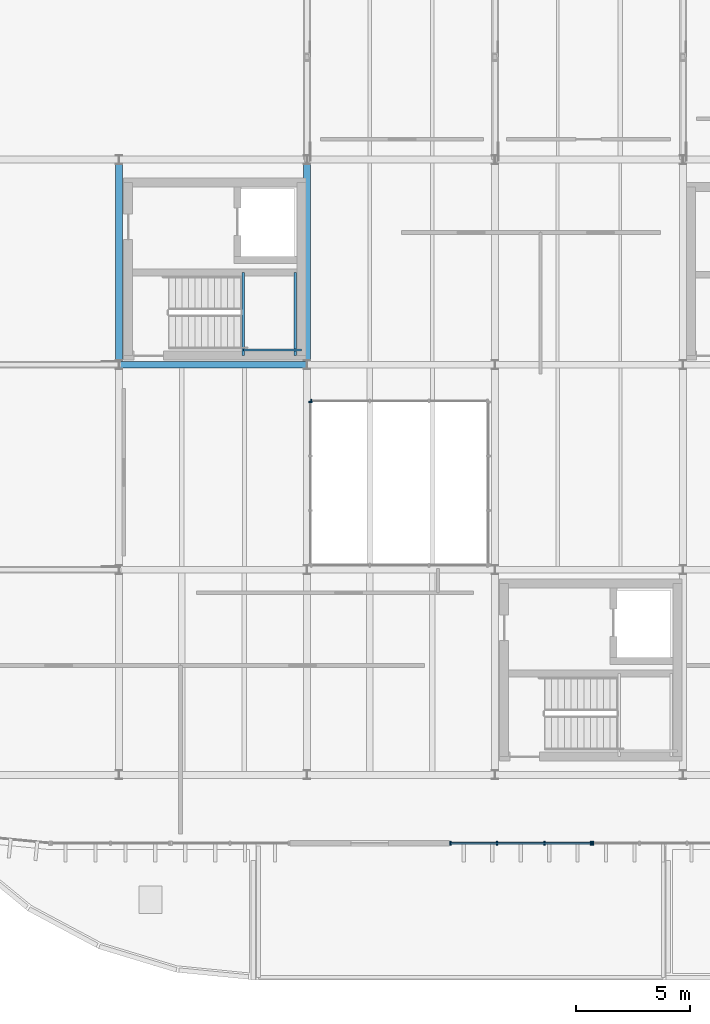
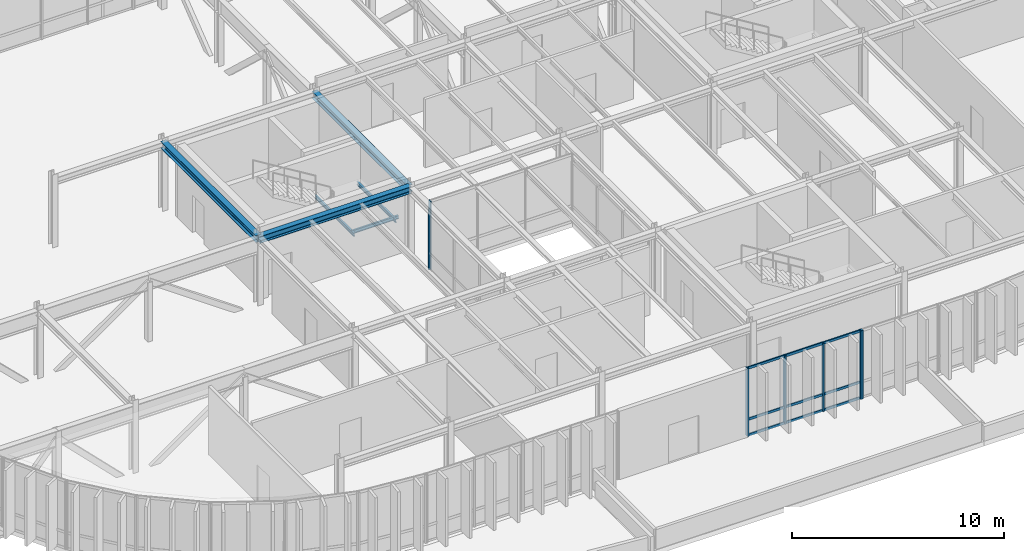
# One storey, part 7 of 29: 10 members, 6 beams, 4 elements without a shape of their own.
"""IFC4 building model written with IfcOpenShell, lengths in metres."""

from ifc_helpers import new_model, si_unit, direction, frame, origin, origin_2d, place, context, subcontext, project, spatial, rectangle, i_section, extrude, material, layer, layer_set, material_profile, profile_set, type_object, element, aggregate, save


model = new_model("IFC4")

# Units and contexts
model_context = context("Model", 3, precision=1e-05, world=origin(), true_north=direction((0.0, 1.0)))
body_context = subcontext(model_context, "Body", "Model", "MODEL_VIEW")
ifc_project = project(units=[si_unit("LENGTHUNIT", "METRE"), si_unit("AREAUNIT", "SQUARE_METRE"), si_unit("VOLUMEUNIT", "CUBIC_METRE"), si_unit("PLANEANGLEUNIT", "RADIAN"), si_unit("MASSUNIT", "GRAM", prefix="KILO")], contexts=[model_context])

# Site, building, storey
site_placement = place(None, origin())
site = spatial("IfcSite", under=ifc_project, at=site_placement, CompositionType="ELEMENT")
building_placement = place(site_placement, origin())
building = spatial("IfcBuilding", under=site, at=building_placement, Name="Montealbar Specialist Clinic", CompositionType="ELEMENT")
storey_placement = place(building_placement, frame((0.0, 0.0, 22.199951171875)))
storey = spatial("IfcBuildingStorey", under=building, at=storey_placement, Name="L05", CompositionType="ELEMENT", Elevation=22.199951171875)

# Beams
ifc_material_1 = material(Name="Steel S355", Category="steel")
ifc_material_profile_1 = material_profile(ifc_material_1, i_section(OverallWidth=0.300048828125, OverallDepth=0.39990234375, WebThickness=0.013427734375, FlangeThickness=0.02392578125, FilletRadius=0.027099609375, at=origin_2d()), Name="HEB 400", Category="steel")
ifc_profile_set_1 = profile_set([ifc_material_profile_1], Name="Steel S355")
beam_type_1 = type_object("IfcBeamType", Name="BM-GIRD-HEB400", PredefinedType="BEAM", material=ifc_profile_set_1)
beam_1_placement = place(storey_placement, frame((66.0, 27.0, 3.72998046875), z_axis=(1.0, 0.0, 0.0), x_axis=(0.0, 1.0, 0.0)))
element("IfcBeam", 1, at=beam_1_placement, inside=storey, type_object=beam_type_1, Name="Beam GX-L05-660-742-270", PredefinedType="BEAM", context=body_context, shape_type="SweptSolid", body=[
    extrude(i_section(OverallWidth=0.300048828125, OverallDepth=0.39990234375, WebThickness=0.013427734375, FlangeThickness=0.02392578125, FilletRadius=0.027099609375, at=origin_2d()), origin(), (0.0, 0.0, 1.0), 8.25),
])
beam_2_placement = place(storey_placement, frame((66.0, 27.0, 3.739990234375), z_axis=(0.0, 1.0, 0.0), x_axis=(-1.0, 0.0, 0.0)))
element("IfcBeam", 2, at=beam_2_placement, inside=storey, type_object=beam_type_1, Name="Beam GY-L05-660-270-360", PredefinedType="BEAM", context=body_context, shape_type="SweptSolid", body=[
    extrude(i_section(OverallWidth=0.300048828125, OverallDepth=0.39990234375, WebThickness=0.013427734375, FlangeThickness=0.02392578125, FilletRadius=0.027099609375, at=origin_2d()), origin(), (0.0, 0.0, 1.0), 9.0),
])
ifc_material_profile_2 = material_profile(ifc_material_1, i_section(OverallWidth=0.300048828125, OverallDepth=0.39990234375, WebThickness=0.013427734375, FlangeThickness=0.02392578125, FilletRadius=0.027099609375, at=origin_2d()), Name="HEB 400", Category="steel")
ifc_profile_set_2 = profile_set([ifc_material_profile_2], Name="Steel S355")
beam_type_2 = type_object("IfcBeamType", Name="BM-GIRD-HEB400-EXT", PredefinedType="BEAM", material=ifc_profile_set_2)
beam_3_placement = place(storey_placement, frame((74.25, 27.0, 3.72998046875), z_axis=(0.0, 1.0, 0.0), x_axis=(-1.0, 0.0, 0.0)))
element("IfcBeam", 3, at=beam_3_placement, inside=storey, type_object=beam_type_2, Name="Beam GY-L05-742-270-360", PredefinedType="BEAM", context=body_context, shape_type="SweptSolid", body=[
    extrude(i_section(OverallWidth=0.300048828125, OverallDepth=0.39990234375, WebThickness=0.013427734375, FlangeThickness=0.02392578125, FilletRadius=0.027099609375, at=origin_2d()), origin(), (0.0, 0.0, 1.0), 9.0),
])
ifc_material_profile_3 = material_profile(ifc_material_1, i_section(OverallWidth=0.10009765625, OverallDepth=0.199951171875, WebThickness=0.005615234375, FlangeThickness=0.008544921875, FilletRadius=0.011962890625, at=origin_2d()), Name="IPE 200", Category="steel")
ifc_profile_set_3 = profile_set([ifc_material_profile_3], Name="Steel S355")
beam_type_3 = type_object("IfcBeamType", Name="BM-LINT-IPE200", PredefinedType="LINTEL", material=ifc_profile_set_3)
for number, where, z_axis, x_axis, name in (
    (4, (71.455078125, 27.39990234375, 1.800048828125), (0.0, 1.0, 0.0), (-1.0, 0.0, 0.0), "Core C3 Stair Landing Beam L05 W"),
    (5, (73.72998046875, 27.39990234375, 1.800048828125), (0.0, 1.0, 0.0), (-1.0, 0.0, 0.0), "Core C3 Stair Landing Beam L05 E"),
):
    element("IfcBeam", number, at=place(storey_placement, frame(where, z_axis=z_axis, x_axis=x_axis)), inside=storey, type_object=beam_type_3, Name=name, PredefinedType="LINTEL", context=body_context, shape_type="SweptSolid", body=[
        extrude(i_section(OverallWidth=0.10009765625, OverallDepth=0.199951171875, WebThickness=0.005615234375, FlangeThickness=0.008544921875, FilletRadius=0.011962890625, at=origin_2d()), origin(), (0.0, 0.0, 1.0), 3.650146484375),
    ])
beam_4_placement = place(storey_placement, frame((71.455078125, 27.64990234375, 1.800048828125), z_axis=(1.0, 0.0, 0.0), x_axis=(0.0, 1.0, 0.0)))
element("IfcBeam", 6, at=beam_4_placement, inside=storey, type_object=beam_type_3, Name="Core C3 Stair Landing Tie Beam L05", PredefinedType="LINTEL", context=body_context, shape_type="SweptSolid", body=[
    extrude(i_section(OverallWidth=0.10009765625, OverallDepth=0.199951171875, WebThickness=0.005615234375, FlangeThickness=0.008544921875, FilletRadius=0.011962890625, at=origin_2d()), origin(), (0.0, 0.0, 1.0), 2.544921875),
])

# Curtain wall, member
ifc_material_2 = material(Name="Low-E double glazing", Category="glass")
ifc_layer_1 = layer(ifc_material_2, 0.199951171875, Name="Low-E double glazing", Category="glass")
ifc_layer_set_1 = layer_set([ifc_layer_1], Name="Low-E double glazing")
curtain_wall_type_1 = type_object("IfcCurtainWallType", Name="CW-TYPE-25", PredefinedType="NOTDEFINED", material=ifc_layer_set_1)
curtain_wall_1_placement = place(storey_placement, origin())
curtain_wall_1 = element("IfcCurtainWall", 7, at=curtain_wall_1_placement, inside=storey, type_object=curtain_wall_type_1, Name="Unitised Curtain Wall CW-L05-822-254-744-254-222", PredefinedType="NOTDEFINED")
ifc_material_3 = material(Name="Anodised aluminium EN AW-6063", Category="aluminium")
ifc_material_profile_4 = material_profile(ifc_material_3, rectangle(XDim=0.06005859375, YDim=0.159912109375, at=origin_2d()), Name="ALU 60x160", Category="aluminium")
ifc_profile_set_4 = profile_set([ifc_material_profile_4], Name="Anodised aluminium EN AW-6063")
member_type_1 = type_object("IfcMemberType", Name="CW-MUL-160", PredefinedType="MULLION", material=ifc_profile_set_4)
member_1_placement = place(storey_placement, frame((74.43505859375, 25.39990234375, 0.0), z_axis=(0.0, 0.0, 1.0), x_axis=(-1.0, 0.0, 0.0)))
member_1 = element("IfcMember", 8, at=member_1_placement, type_object=member_type_1, Name="Curtain Wall Mullion CW-L05-822-254-744-254-222-03", PredefinedType="MULLION", context=body_context, shape_type="SweptSolid", body=[
    extrude(rectangle(XDim=0.06005859375, YDim=0.159912109375, at=origin_2d()), origin(), (0.0, 0.0, 1.0), 3.93994140625),
])
aggregate(curtain_wall_1, [member_1])

ifc_layer_2 = layer(ifc_material_2, 0.199951171875, Name="Low-E double glazing", Category="glass")
ifc_layer_set_2 = layer_set([ifc_layer_2], Name="Low-E double glazing")
curtain_wall_type_2 = type_object("IfcCurtainWallType", Name="CW-TYPE-41", PredefinedType="NOTDEFINED", material=ifc_layer_set_2)
curtain_wall_2_placement = place(storey_placement, origin())
curtain_wall_2 = element("IfcCurtainWall", 9, at=curtain_wall_2_placement, inside=storey, type_object=curtain_wall_type_2, Name="Unitised Curtain Wall CW-L05-744-254-744-182-222", PredefinedType="NOTDEFINED")
member_2_placement = place(storey_placement, frame((74.39990234375, 25.364990234375, 0.0), z_axis=(0.0, 0.0, 1.0), x_axis=(0.0, -1.0, 0.0)))
member_2 = element("IfcMember", 10, at=member_2_placement, type_object=member_type_1, Name="Curtain Wall Mullion CW-L05-744-254-744-182-222-00", PredefinedType="MULLION", context=body_context, shape_type="SweptSolid", body=[
    extrude(rectangle(XDim=0.06005859375, YDim=0.159912109375, at=origin_2d()), origin(), (0.0, 0.0, 1.0), 3.530029296875),
])
aggregate(curtain_wall_2, [member_2])

# Curtain wall, members
ifc_layer_3 = layer(ifc_material_2, 0.199951171875, Name="Low-E double glazing", Category="glass")
ifc_layer_set_3 = layer_set([ifc_layer_3], Name="Low-E double glazing")
curtain_wall_type_3 = type_object("IfcCurtainWallType", Name="CW-TYPE-40", PredefinedType="NOTDEFINED", material=ifc_layer_set_3)
curtain_wall_3_placement = place(storey_placement, origin())
curtain_wall_3 = element("IfcCurtainWall", 11, at=curtain_wall_3_placement, inside=storey, type_object=curtain_wall_type_3, Name="Unitised Curtain Wall CW-L05-805-60-868-60-222", PredefinedType="NOTDEFINED")
ifc_material_profile_5 = material_profile(ifc_material_3, rectangle(XDim=0.070068359375, YDim=0.179931640625, at=origin_2d()), Name="ALU 70x180", Category="aluminium")
ifc_profile_set_5 = profile_set([ifc_material_profile_5], Name="Anodised aluminium EN AW-6063")
member_type_2 = type_object("IfcMemberType", Name="CW-MUL-200", PredefinedType="MULLION", material=ifc_profile_set_5)
member_3_placement = place(storey_placement, frame((80.5400390625, 6.0, 0.0), z_axis=(0.0, 0.0, 1.0), x_axis=(1.0, 0.0, 0.0)))
member_3 = element("IfcMember", 12, at=member_3_placement, type_object=member_type_2, Name="Curtain Wall Mullion CW-L05-805-60-868-60-222-00", PredefinedType="MULLION", context=body_context, shape_type="SweptSolid", body=[
    extrude(rectangle(XDim=0.070068359375, YDim=0.179931640625, at=origin_2d()), origin(), (0.0, 0.0, 1.0), 3.93994140625),
])
member_4_placement = place(storey_placement, frame((82.5830078125, 6.0, 0.0), z_axis=(0.0, 0.0, 1.0), x_axis=(1.0, 0.0, 0.0)))
member_4 = element("IfcMember", 13, at=member_4_placement, type_object=member_type_2, Name="Curtain Wall Mullion CW-L05-805-60-868-60-222-01", PredefinedType="MULLION", context=body_context, shape_type="SweptSolid", body=[
    extrude(rectangle(XDim=0.070068359375, YDim=0.179931640625, at=origin_2d()), origin(), (0.0, 0.0, 1.0), 3.93994140625),
])
member_5_placement = place(storey_placement, frame((84.6669921875, 6.0, 0.0), z_axis=(0.0, 0.0, 1.0), x_axis=(1.0, 0.0, 0.0)))
member_5 = element("IfcMember", 14, at=member_5_placement, type_object=member_type_2, Name="Curtain Wall Mullion CW-L05-805-60-868-60-222-02", PredefinedType="MULLION", context=body_context, shape_type="SweptSolid", body=[
    extrude(rectangle(XDim=0.070068359375, YDim=0.179931640625, at=origin_2d()), origin(), (0.0, 0.0, 1.0), 3.93994140625),
])
member_6_placement = place(storey_placement, frame((86.7099609375, 6.0, 0.0), z_axis=(0.0, 0.0, 1.0), x_axis=(1.0, 0.0, 0.0)))
member_6 = element("IfcMember", 15, at=member_6_placement, type_object=member_type_2, Name="Curtain Wall Mullion CW-L05-805-60-868-60-222-03", PredefinedType="MULLION", context=body_context, shape_type="SweptSolid", body=[
    extrude(rectangle(XDim=0.070068359375, YDim=0.179931640625, at=origin_2d()), origin(), (0.0, 0.0, 1.0), 3.93994140625),
])

# Curtain wall, member
curtain_wall_4_placement = place(storey_placement, origin())
curtain_wall_4 = element("IfcCurtainWall", 16, at=curtain_wall_4_placement, inside=storey, type_object=curtain_wall_type_3, Name="Unitised Curtain Wall CW-L05-868-60-930-60-222", PredefinedType="NOTDEFINED")
member_7_placement = place(storey_placement, frame((86.7900390625, 6.0, 0.0), z_axis=(0.0, 0.0, 1.0), x_axis=(1.0, 0.0, 0.0)))
member_7 = element("IfcMember", 17, at=member_7_placement, type_object=member_type_2, Name="Curtain Wall Mullion CW-L05-868-60-930-60-222-00", PredefinedType="MULLION", context=body_context, shape_type="SweptSolid", body=[
    extrude(rectangle(XDim=0.070068359375, YDim=0.179931640625, at=origin_2d()), origin(), (0.0, 0.0, 1.0), 3.93994140625),
])
aggregate(curtain_wall_4, [member_7])

# Member
ifc_material_4 = material(Name="Powder-coated aluminium", Category="aluminium")
ifc_material_profile_6 = material_profile(ifc_material_4, rectangle(XDim=0.070068359375, YDim=0.139892578125, at=origin_2d()), Name="ALU 70x140", Category="aluminium")
ifc_profile_set_6 = profile_set([ifc_material_profile_6], Name="Powder-coated aluminium")
member_type_3 = type_object("IfcMemberType", Name="CW-TRN-140", PredefinedType="USERDEFINED", material=ifc_profile_set_6)
member_8_placement = place(storey_placement, frame((80.550048828125, 6.0, 0.0400390625), z_axis=(1.0, 0.0, 0.0), x_axis=(0.0, 1.0, 0.0)))
member_8 = element("IfcMember", 18, at=member_8_placement, type_object=member_type_3, Name="Curtain Wall Transom CW-L05-805-60-868-60-222-00", ObjectType="TRANSOM", PredefinedType="USERDEFINED", context=body_context, shape_type="SweptSolid", body=[
    extrude(rectangle(XDim=0.070068359375, YDim=0.139892578125, at=origin_2d()), origin(), (0.0, 0.0, 1.0), 6.14990234375),
])

member_9_placement = place(storey_placement, frame((80.550048828125, 6.0, 0.949951171875), z_axis=(1.0, 0.0, 0.0), x_axis=(0.0, 1.0, 0.0)))
member_9 = element("IfcMember", 19, at=member_9_placement, type_object=member_type_3, Name="Curtain Wall Transom CW-L05-805-60-868-60-222-01", ObjectType="TRANSOM", PredefinedType="USERDEFINED", context=body_context, shape_type="SweptSolid", body=[
    extrude(rectangle(XDim=0.070068359375, YDim=0.139892578125, at=origin_2d()), origin(), (0.0, 0.0, 1.0), 6.14990234375),
])

member_10_placement = place(storey_placement, frame((80.550048828125, 6.0, 3.900146484375), z_axis=(1.0, 0.0, 0.0), x_axis=(0.0, 1.0, 0.0)))
member_10 = element("IfcMember", 20, at=member_10_placement, type_object=member_type_3, Name="Curtain Wall Transom CW-L05-805-60-868-60-222-02", ObjectType="TRANSOM", PredefinedType="USERDEFINED", context=body_context, shape_type="SweptSolid", body=[
    extrude(rectangle(XDim=0.070068359375, YDim=0.139892578125, at=origin_2d()), origin(), (0.0, 0.0, 1.0), 6.14990234375),
])

aggregate(curtain_wall_3, [member_3, member_4, member_5, member_6, member_8, member_9, member_10])

save(model, "model.ifc")
